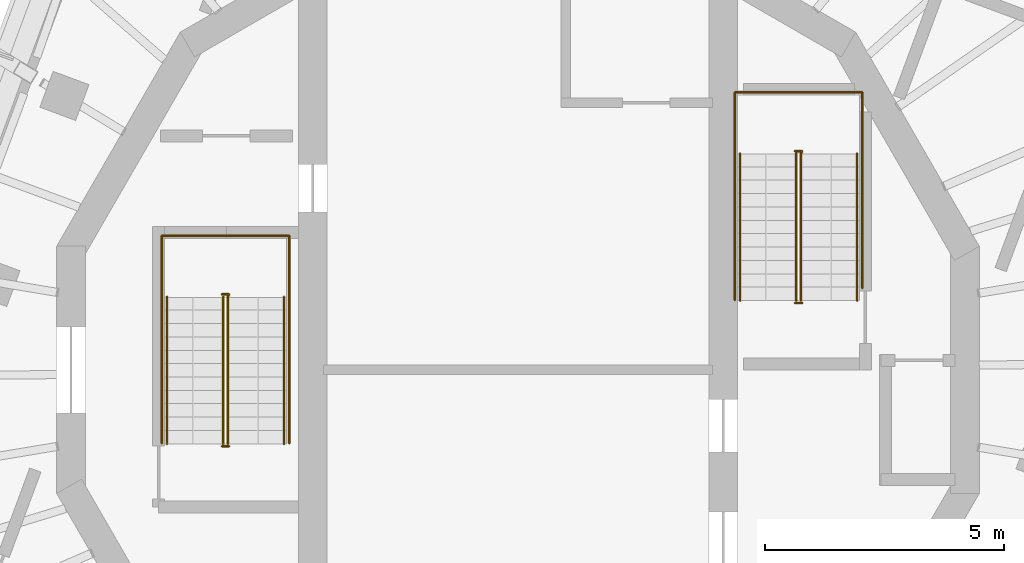
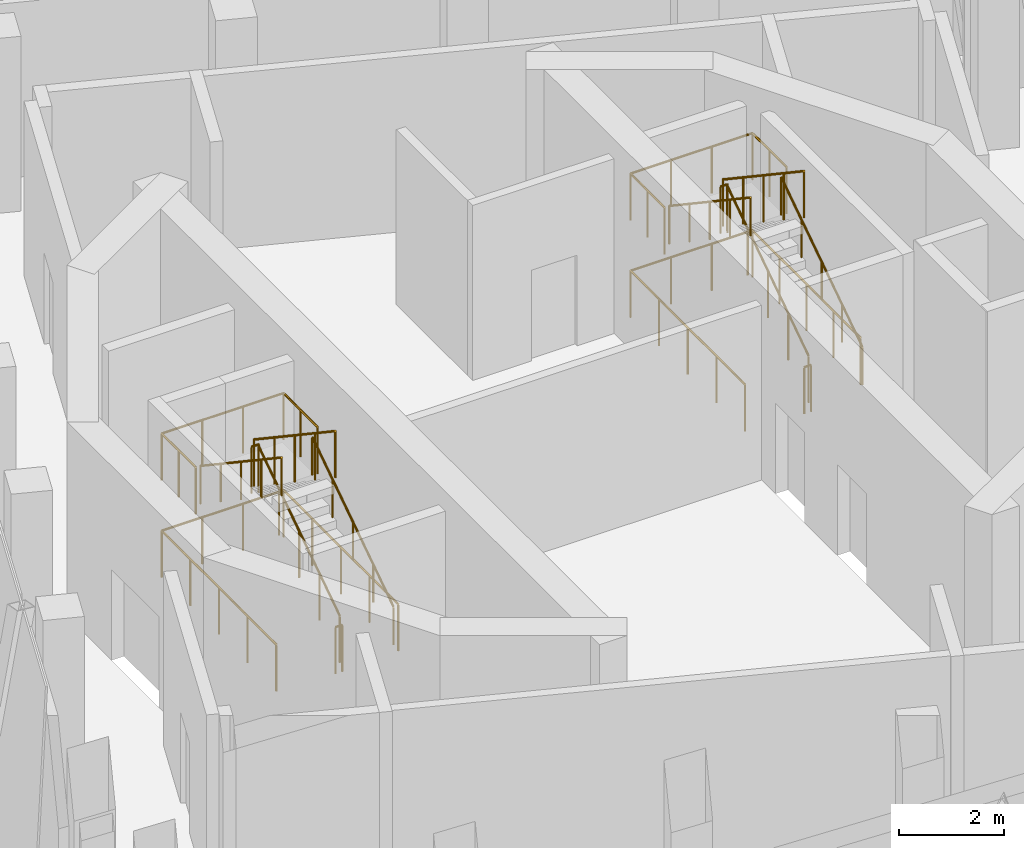
# One storey, part 12 of 12: 14 railings.
"""IFC4 building model written with IfcOpenShell, lengths in metres."""

from ifc_helpers import new_model, si_unit, direction, frame, origin, origin_2d, place, context, subcontext, project, spatial, circle, extrude, material, type_object, element, save


model = new_model("IFC4")

# Units and contexts
model_context = context("Model", 3, precision=1e-05, world=origin(), true_north=direction((0.0, 1.0)))
body_context = subcontext(model_context, "Body", "Model", "MODEL_VIEW")
ifc_project = project(units=[si_unit("LENGTHUNIT", "METRE"), si_unit("AREAUNIT", "SQUARE_METRE"), si_unit("VOLUMEUNIT", "CUBIC_METRE"), si_unit("PLANEANGLEUNIT", "RADIAN"), si_unit("MASSUNIT", "GRAM", prefix="KILO")], contexts=[model_context])

# Site, building, storey
site_placement = place(None, origin())
site = spatial("IfcSite", under=ifc_project, at=site_placement, CompositionType="ELEMENT")
building_placement = place(site_placement, origin())
building = spatial("IfcBuilding", under=site, at=building_placement, Name="Cantera Rosa Tower", CompositionType="ELEMENT")
storey_placement = place(building_placement, frame((0.0, 0.0, 360.699951171875)))
storey = spatial("IfcBuildingStorey", under=building, at=storey_placement, Name="L81", CompositionType="ELEMENT", Elevation=360.699951171875)

# Railings
ifc_material_1 = material(Name="Steel S355J2 (EN 10025-2)", Category="steel")
railing_type_1 = type_object("IfcRailingType", Name="STAIR GUARD 1100", PredefinedType="GUARDRAIL", material=ifc_material_1)
railing_1_placement = place(storey_placement, frame((-6.075927734375, -1.550048828125, 0.1875)))
element("IfcRailing", 1, at=railing_1_placement, inside=storey, type_object=railing_type_1, Name="L81 ST-71 stair guard 1", PredefinedType="GUARDRAIL", context=body_context, shape_type="SweptSolid", body=[
    extrude(circle(Radius=0.02392578125, at=origin_2d()), frame((0.0, 0.0, 1.076171875), z_axis=(0.0, 0.830913701846, 0.55640131208), x_axis=(-1.0, 0.0, 0.0)), (0.0, 0.0, 1.0), 3.706787109375),
    extrude(circle(Radius=0.02392578125, at=origin_2d()), frame((0.0, 3.080078125, 3.138671875), z_axis=(0.459305035911, 0.888278607187, 0.0), x_axis=(-0.888278607187, 0.459305035911, 0.0)), (0.0, 0.0, 1.0), 0.056396484375),
    extrude(circle(Radius=0.02392578125, at=origin_2d()), frame((0.02587890625, 3.130126953125, 3.138671875), z_axis=(-1.0, 0.0, 0.0), x_axis=(0.0, -1.0, 0.0)), (0.0, 0.0, 1.0), 0.14990234375),
    extrude(circle(Radius=0.02099609375, at=origin_2d()), origin(), (0.0, 0.0, 1.0), 1.052001953125),
    extrude(circle(Radius=0.02099609375, at=origin_2d()), frame((0.0, 0.77001953125, 0.515625)), (0.0, 0.0, 1.0), 1.052001953125),
    extrude(circle(Radius=0.02099609375, at=origin_2d()), frame((0.0, 1.5400390625, 1.03125)), (0.0, 0.0, 1.0), 1.052001953125),
    extrude(circle(Radius=0.02099609375, at=origin_2d()), frame((0.0, 2.31005859375, 1.546875)), (0.0, 0.0, 1.0), 1.052001953125),
    extrude(circle(Radius=0.02099609375, at=origin_2d()), frame((0.0, 3.080078125, 2.0625)), (0.0, 0.0, 1.0), 1.052001953125),
    extrude(circle(Radius=0.02099609375, at=origin_2d()), frame((0.02587890625, 3.130126953125, 2.0625)), (0.0, 0.0, 1.0), 1.052001953125),
    extrude(circle(Radius=0.02099609375, at=origin_2d()), frame((-0.1240234375, 3.130126953125, 2.0625)), (0.0, 0.0, 1.0), 1.052001953125),
])
railing_2_placement = place(storey_placement, frame((-6.174072265625, 1.530029296875, 2.4375)))
element("IfcRailing", 2, at=railing_2_placement, inside=storey, type_object=railing_type_1, Name="L81 ST-71 stair guard 2", PredefinedType="GUARDRAIL", context=body_context, shape_type="SweptSolid", body=[
    extrude(circle(Radius=0.02392578125, at=origin_2d()), frame((0.0, 0.0, 1.076171875), z_axis=(0.0, -0.830913701846, 0.55640131208), x_axis=(1.0, 0.0, 0.0)), (0.0, 0.0, 1.0), 3.706787109375),
    extrude(circle(Radius=0.02099609375, at=origin_2d()), origin(), (0.0, 0.0, 1.0), 1.052001953125),
    extrude(circle(Radius=0.02099609375, at=origin_2d()), frame((0.0, -0.77001953125, 0.515625)), (0.0, 0.0, 1.0), 1.052001953125),
    extrude(circle(Radius=0.02099609375, at=origin_2d()), frame((0.0, -1.5400390625, 1.03125)), (0.0, 0.0, 1.0), 1.052001953125),
    extrude(circle(Radius=0.02099609375, at=origin_2d()), frame((0.0, -2.31005859375, 1.546875)), (0.0, 0.0, 1.0), 1.052001953125),
    extrude(circle(Radius=0.02099609375, at=origin_2d()), frame((0.0, -3.080078125, 2.0625)), (0.0, 0.0, 1.0), 1.052001953125),
])
railing_3_placement = place(storey_placement, frame((-6.050048828125, -1.60009765625, 0.0)))
element("IfcRailing", 3, at=railing_3_placement, inside=storey, type_object=railing_type_1, Name="L81 ST-71 stair guard 3", PredefinedType="GUARDRAIL", context=body_context, shape_type="SweptSolid", body=[
    extrude(circle(Radius=0.02392578125, at=origin_2d()), frame((0.0, 0.0, 1.076171875), z_axis=(-1.0, 0.0, 0.0), x_axis=(0.0, -1.0, 0.0)), (0.0, 0.0, 1.0), 0.14990234375),
    extrude(circle(Radius=0.02099609375, at=origin_2d()), origin(), (0.0, 0.0, 1.0), 1.052001953125),
    extrude(circle(Radius=0.02099609375, at=origin_2d()), frame((-0.14990234375, 0.0, 0.0)), (0.0, 0.0, 1.0), 1.052001953125),
])
railing_4_placement = place(storey_placement, frame((-4.7900390625, -1.5380859375, 0.0)))
element("IfcRailing", 4, at=railing_4_placement, inside=storey, type_object=railing_type_1, Name="L81 ST-71 stair guard 4", PredefinedType="GUARDRAIL", context=body_context, shape_type="SweptSolid", body=[
    extrude(circle(Radius=0.02392578125, at=origin_2d()), frame((0.0, 0.0, 1.076171875), z_axis=(0.0, 1.0, 0.0), x_axis=(-1.0, 0.0, 0.0)), (0.0, 0.0, 1.0), 4.34814453125),
    extrude(circle(Radius=0.02392578125, at=origin_2d()), frame((0.0, 4.34814453125, 1.076171875), z_axis=(-1.0, 0.0, 0.0), x_axis=(0.0, -1.0, 0.0)), (0.0, 0.0, 1.0), 2.669921875),
    extrude(circle(Radius=0.02392578125, at=origin_2d()), frame((-2.669921875, 4.34814453125, 1.076171875), z_axis=(0.0, -1.0, 0.0), x_axis=(1.0, 0.0, 0.0)), (0.0, 0.0, 1.0), 4.34814453125),
    extrude(circle(Radius=0.02099609375, at=origin_2d()), origin(), (0.0, 0.0, 1.0), 1.052001953125),
    extrude(circle(Radius=0.02099609375, at=origin_2d()), frame((0.0, 1.0869140625, 0.0)), (0.0, 0.0, 1.0), 1.052001953125),
    extrude(circle(Radius=0.02099609375, at=origin_2d()), frame((0.0, 2.174072265625, 0.0)), (0.0, 0.0, 1.0), 1.052001953125),
    extrude(circle(Radius=0.02099609375, at=origin_2d()), frame((0.0, 3.26123046875, 0.0)), (0.0, 0.0, 1.0), 1.052001953125),
    extrude(circle(Radius=0.02099609375, at=origin_2d()), frame((0.0, 4.34814453125, 0.0)), (0.0, 0.0, 1.0), 1.052001953125),
    extrude(circle(Radius=0.02099609375, at=origin_2d()), frame((-0.889892578125, 4.34814453125, 0.0)), (0.0, 0.0, 1.0), 1.052001953125),
    extrude(circle(Radius=0.02099609375, at=origin_2d()), frame((-1.780029296875, 4.34814453125, 0.0)), (0.0, 0.0, 1.0), 1.052001953125),
    extrude(circle(Radius=0.02099609375, at=origin_2d()), frame((-2.669921875, 4.34814453125, 0.0)), (0.0, 0.0, 1.0), 1.052001953125),
    extrude(circle(Radius=0.02099609375, at=origin_2d()), frame((-2.669921875, 3.26123046875, 0.0)), (0.0, 0.0, 1.0), 1.052001953125),
    extrude(circle(Radius=0.02099609375, at=origin_2d()), frame((-2.669921875, 2.174072265625, 0.0)), (0.0, 0.0, 1.0), 1.052001953125),
    extrude(circle(Radius=0.02099609375, at=origin_2d()), frame((-2.669921875, 1.0869140625, 0.0)), (0.0, 0.0, 1.0), 1.052001953125),
    extrude(circle(Radius=0.02099609375, at=origin_2d()), frame((-2.669921875, 0.0, 0.0)), (0.0, 0.0, 1.0), 1.052001953125),
])
railing_5_placement = place(storey_placement, frame((-4.7900390625, 1.51806640625, 2.25)))
element("IfcRailing", 5, at=railing_5_placement, inside=storey, type_object=railing_type_1, Name="L81 ST-71 stair guard 5", PredefinedType="GUARDRAIL", context=body_context, shape_type="SweptSolid", body=[
    extrude(circle(Radius=0.02392578125, at=origin_2d()), frame((0.0, 0.0, 1.076171875), z_axis=(0.0, 1.0, 0.0), x_axis=(-1.0, 0.0, 0.0)), (0.0, 0.0, 1.0), 1.2919921875),
    extrude(circle(Radius=0.02392578125, at=origin_2d()), frame((0.0, 1.2919921875, 1.076171875), z_axis=(-1.0, 0.0, 0.0), x_axis=(0.0, -1.0, 0.0)), (0.0, 0.0, 1.0), 2.669921875),
    extrude(circle(Radius=0.02392578125, at=origin_2d()), frame((-2.669921875, 1.2919921875, 1.076171875), z_axis=(0.0, -1.0, 0.0), x_axis=(1.0, 0.0, 0.0)), (0.0, 0.0, 1.0), 1.2919921875),
    extrude(circle(Radius=0.02099609375, at=origin_2d()), origin(), (0.0, 0.0, 1.0), 1.052001953125),
    extrude(circle(Radius=0.02099609375, at=origin_2d()), frame((0.0, 0.64599609375, 0.0)), (0.0, 0.0, 1.0), 1.052001953125),
    extrude(circle(Radius=0.02099609375, at=origin_2d()), frame((0.0, 1.2919921875, 0.0)), (0.0, 0.0, 1.0), 1.052001953125),
    extrude(circle(Radius=0.02099609375, at=origin_2d()), frame((-0.889892578125, 1.2919921875, 0.0)), (0.0, 0.0, 1.0), 1.052001953125),
    extrude(circle(Radius=0.02099609375, at=origin_2d()), frame((-1.780029296875, 1.2919921875, 0.0)), (0.0, 0.0, 1.0), 1.052001953125),
    extrude(circle(Radius=0.02099609375, at=origin_2d()), frame((-2.669921875, 1.2919921875, 0.0)), (0.0, 0.0, 1.0), 1.052001953125),
    extrude(circle(Radius=0.02099609375, at=origin_2d()), frame((-2.669921875, 0.64599609375, 0.0)), (0.0, 0.0, 1.0), 1.052001953125),
    extrude(circle(Radius=0.02099609375, at=origin_2d()), frame((-2.669921875, 0.0, 0.0)), (0.0, 0.0, 1.0), 1.052001953125),
])
railing_6_placement = place(storey_placement, frame((5.924072265625, 1.449951171875, 0.1875)))
element("IfcRailing", 6, at=railing_6_placement, inside=storey, type_object=railing_type_1, Name="L81 ST-72 stair guard 1", PredefinedType="GUARDRAIL", context=body_context, shape_type="SweptSolid", body=[
    extrude(circle(Radius=0.02392578125, at=origin_2d()), frame((0.0, 0.0, 1.076171875), z_axis=(0.0, 0.830913701846, 0.55640131208), x_axis=(-1.0, 0.0, 0.0)), (0.0, 0.0, 1.0), 3.706787109375),
    extrude(circle(Radius=0.02392578125, at=origin_2d()), frame((0.0, 3.080078125, 3.138671875), z_axis=(0.459305035911, 0.888278607187, 0.0), x_axis=(-0.888278607187, 0.459305035911, 0.0)), (0.0, 0.0, 1.0), 0.056396484375),
    extrude(circle(Radius=0.02392578125, at=origin_2d()), frame((0.02587890625, 3.130126953125, 3.138671875), z_axis=(-1.0, 0.0, 0.0), x_axis=(0.0, -1.0, 0.0)), (0.0, 0.0, 1.0), 0.14990234375),
    extrude(circle(Radius=0.02099609375, at=origin_2d()), origin(), (0.0, 0.0, 1.0), 1.052001953125),
    extrude(circle(Radius=0.02099609375, at=origin_2d()), frame((0.0, 0.77001953125, 0.515625)), (0.0, 0.0, 1.0), 1.052001953125),
    extrude(circle(Radius=0.02099609375, at=origin_2d()), frame((0.0, 1.5400390625, 1.03125)), (0.0, 0.0, 1.0), 1.052001953125),
    extrude(circle(Radius=0.02099609375, at=origin_2d()), frame((0.0, 2.31005859375, 1.546875)), (0.0, 0.0, 1.0), 1.052001953125),
    extrude(circle(Radius=0.02099609375, at=origin_2d()), frame((0.0, 3.080078125, 2.0625)), (0.0, 0.0, 1.0), 1.052001953125),
    extrude(circle(Radius=0.02099609375, at=origin_2d()), frame((0.02587890625, 3.130126953125, 2.0625)), (0.0, 0.0, 1.0), 1.052001953125),
    extrude(circle(Radius=0.02099609375, at=origin_2d()), frame((-0.1240234375, 3.130126953125, 2.0625)), (0.0, 0.0, 1.0), 1.052001953125),
])
railing_7_placement = place(storey_placement, frame((5.825927734375, 4.530029296875, 2.4375)))
element("IfcRailing", 7, at=railing_7_placement, inside=storey, type_object=railing_type_1, Name="L81 ST-72 stair guard 2", PredefinedType="GUARDRAIL", context=body_context, shape_type="SweptSolid", body=[
    extrude(circle(Radius=0.02392578125, at=origin_2d()), frame((0.0, 0.0, 1.076171875), z_axis=(0.0, -0.830913701846, 0.55640131208), x_axis=(1.0, 0.0, 0.0)), (0.0, 0.0, 1.0), 3.706787109375),
    extrude(circle(Radius=0.02099609375, at=origin_2d()), origin(), (0.0, 0.0, 1.0), 1.052001953125),
    extrude(circle(Radius=0.02099609375, at=origin_2d()), frame((0.0, -0.77001953125, 0.515625)), (0.0, 0.0, 1.0), 1.052001953125),
    extrude(circle(Radius=0.02099609375, at=origin_2d()), frame((0.0, -1.5400390625, 1.03125)), (0.0, 0.0, 1.0), 1.052001953125),
    extrude(circle(Radius=0.02099609375, at=origin_2d()), frame((0.0, -2.31005859375, 1.546875)), (0.0, 0.0, 1.0), 1.052001953125),
    extrude(circle(Radius=0.02099609375, at=origin_2d()), frame((0.0, -3.080078125, 2.0625)), (0.0, 0.0, 1.0), 1.052001953125),
])
railing_8_placement = place(storey_placement, frame((5.949951171875, 1.39990234375, 0.0)))
element("IfcRailing", 8, at=railing_8_placement, inside=storey, type_object=railing_type_1, Name="L81 ST-72 stair guard 3", PredefinedType="GUARDRAIL", context=body_context, shape_type="SweptSolid", body=[
    extrude(circle(Radius=0.02392578125, at=origin_2d()), frame((0.0, 0.0, 1.076171875), z_axis=(-1.0, 0.0, 0.0), x_axis=(0.0, -1.0, 0.0)), (0.0, 0.0, 1.0), 0.14990234375),
    extrude(circle(Radius=0.02099609375, at=origin_2d()), origin(), (0.0, 0.0, 1.0), 1.052001953125),
    extrude(circle(Radius=0.02099609375, at=origin_2d()), frame((-0.14990234375, 0.0, 0.0)), (0.0, 0.0, 1.0), 1.052001953125),
])
railing_9_placement = place(storey_placement, frame((7.2099609375, 1.7099609375, 0.0)))
element("IfcRailing", 9, at=railing_9_placement, inside=storey, type_object=railing_type_1, Name="L81 ST-72 stair guard 4", PredefinedType="GUARDRAIL", context=body_context, shape_type="SweptSolid", body=[
    extrude(circle(Radius=0.02392578125, at=origin_2d()), frame((0.0, 0.0, 1.076171875), z_axis=(0.0, 1.0, 0.0), x_axis=(-1.0, 0.0, 0.0)), (0.0, 0.0, 1.0), 4.10009765625),
    extrude(circle(Radius=0.02392578125, at=origin_2d()), frame((0.0, 4.10009765625, 1.076171875), z_axis=(-1.0, 0.0, 0.0), x_axis=(0.0, -1.0, 0.0)), (0.0, 0.0, 1.0), 2.669921875),
    extrude(circle(Radius=0.02392578125, at=origin_2d()), frame((-2.669921875, 4.10009765625, 1.076171875), z_axis=(0.0, -1.0, 0.0), x_axis=(1.0, 0.0, 0.0)), (0.0, 0.0, 1.0), 4.34814453125),
    extrude(circle(Radius=0.02099609375, at=origin_2d()), origin(), (0.0, 0.0, 1.0), 1.052001953125),
    extrude(circle(Radius=0.02099609375, at=origin_2d()), frame((0.0, 1.02490234375, 0.0)), (0.0, 0.0, 1.0), 1.052001953125),
    extrude(circle(Radius=0.02099609375, at=origin_2d()), frame((0.0, 2.050048828125, 0.0)), (0.0, 0.0, 1.0), 1.052001953125),
    extrude(circle(Radius=0.02099609375, at=origin_2d()), frame((0.0, 3.0751953125, 0.0)), (0.0, 0.0, 1.0), 1.052001953125),
    extrude(circle(Radius=0.02099609375, at=origin_2d()), frame((0.0, 4.10009765625, 0.0)), (0.0, 0.0, 1.0), 1.052001953125),
    extrude(circle(Radius=0.02099609375, at=origin_2d()), frame((-0.889892578125, 4.10009765625, 0.0)), (0.0, 0.0, 1.0), 1.052001953125),
    extrude(circle(Radius=0.02099609375, at=origin_2d()), frame((-1.780029296875, 4.10009765625, 0.0)), (0.0, 0.0, 1.0), 1.052001953125),
    extrude(circle(Radius=0.02099609375, at=origin_2d()), frame((-2.669921875, 4.10009765625, 0.0)), (0.0, 0.0, 1.0), 1.052001953125),
    extrude(circle(Radius=0.02099609375, at=origin_2d()), frame((-2.669921875, 3.01318359375, 0.0)), (0.0, 0.0, 1.0), 1.052001953125),
    extrude(circle(Radius=0.02099609375, at=origin_2d()), frame((-2.669921875, 1.926025390625, 0.0)), (0.0, 0.0, 1.0), 1.052001953125),
    extrude(circle(Radius=0.02099609375, at=origin_2d()), frame((-2.669921875, 0.8388671875, 0.0)), (0.0, 0.0, 1.0), 1.052001953125),
    extrude(circle(Radius=0.02099609375, at=origin_2d()), frame((-2.669921875, -0.248046875, 0.0)), (0.0, 0.0, 1.0), 1.052001953125),
])
railing_10_placement = place(storey_placement, frame((7.2099609375, 4.51806640625, 2.25)))
element("IfcRailing", 10, at=railing_10_placement, inside=storey, type_object=railing_type_1, Name="L81 ST-72 stair guard 5", PredefinedType="GUARDRAIL", context=body_context, shape_type="SweptSolid", body=[
    extrude(circle(Radius=0.02392578125, at=origin_2d()), frame((0.0, 0.0, 1.076171875), z_axis=(0.0, 1.0, 0.0), x_axis=(-1.0, 0.0, 0.0)), (0.0, 0.0, 1.0), 1.2919921875),
    extrude(circle(Radius=0.02392578125, at=origin_2d()), frame((0.0, 1.2919921875, 1.076171875), z_axis=(-1.0, 0.0, 0.0), x_axis=(0.0, -1.0, 0.0)), (0.0, 0.0, 1.0), 2.669921875),
    extrude(circle(Radius=0.02392578125, at=origin_2d()), frame((-2.669921875, 1.2919921875, 1.076171875), z_axis=(0.0, -1.0, 0.0), x_axis=(1.0, 0.0, 0.0)), (0.0, 0.0, 1.0), 1.2919921875),
    extrude(circle(Radius=0.02099609375, at=origin_2d()), origin(), (0.0, 0.0, 1.0), 1.052001953125),
    extrude(circle(Radius=0.02099609375, at=origin_2d()), frame((0.0, 0.64599609375, 0.0)), (0.0, 0.0, 1.0), 1.052001953125),
    extrude(circle(Radius=0.02099609375, at=origin_2d()), frame((0.0, 1.2919921875, 0.0)), (0.0, 0.0, 1.0), 1.052001953125),
    extrude(circle(Radius=0.02099609375, at=origin_2d()), frame((-0.889892578125, 1.2919921875, 0.0)), (0.0, 0.0, 1.0), 1.052001953125),
    extrude(circle(Radius=0.02099609375, at=origin_2d()), frame((-1.780029296875, 1.2919921875, 0.0)), (0.0, 0.0, 1.0), 1.052001953125),
    extrude(circle(Radius=0.02099609375, at=origin_2d()), frame((-2.669921875, 1.2919921875, 0.0)), (0.0, 0.0, 1.0), 1.052001953125),
    extrude(circle(Radius=0.02099609375, at=origin_2d()), frame((-2.669921875, 0.64599609375, 0.0)), (0.0, 0.0, 1.0), 1.052001953125),
    extrude(circle(Radius=0.02099609375, at=origin_2d()), frame((-2.669921875, 0.0, 0.0)), (0.0, 0.0, 1.0), 1.052001953125),
])
ifc_material_2 = material(Name="Steel S355J2 (EN 10025-2)", Category="steel")
railing_type_2 = type_object("IfcRailingType", Name="STAIR HANDRAIL 900", PredefinedType="HANDRAIL", material=ifc_material_2)
railing_11_placement = place(storey_placement, frame((-4.89990234375, -1.550048828125, 0.1875)))
element("IfcRailing", 11, at=railing_11_placement, inside=storey, type_object=railing_type_2, Name="L81 ST-71 stair handrail 1", PredefinedType="HANDRAIL", context=body_context, shape_type="SweptSolid", body=[
    extrude(circle(Radius=0.02392578125, at=origin_2d()), frame((0.0, 0.0, 0.8759765625), z_axis=(0.0, 0.830913701846, 0.55640131208), x_axis=(-1.0, 0.0, 0.0)), (0.0, 0.0, 1.0), 3.706787109375),
    extrude(circle(Radius=0.02099609375, at=origin_2d()), origin(), (0.0, 0.0, 1.0), 0.851806640625),
    extrude(circle(Radius=0.02099609375, at=origin_2d()), frame((0.0, 0.77001953125, 0.515625)), (0.0, 0.0, 1.0), 0.851806640625),
    extrude(circle(Radius=0.02099609375, at=origin_2d()), frame((0.0, 1.5400390625, 1.03125)), (0.0, 0.0, 1.0), 0.851806640625),
    extrude(circle(Radius=0.02099609375, at=origin_2d()), frame((0.0, 2.31005859375, 1.546875)), (0.0, 0.0, 1.0), 0.851806640625),
    extrude(circle(Radius=0.02099609375, at=origin_2d()), frame((0.0, 3.080078125, 2.0625)), (0.0, 0.0, 1.0), 0.851806640625),
])
railing_12_placement = place(storey_placement, frame((-7.35009765625, 1.530029296875, 2.4375)))
element("IfcRailing", 12, at=railing_12_placement, inside=storey, type_object=railing_type_2, Name="L81 ST-71 stair handrail 2", PredefinedType="HANDRAIL", context=body_context, shape_type="SweptSolid", body=[
    extrude(circle(Radius=0.02392578125, at=origin_2d()), frame((0.0, 0.0, 0.8759765625), z_axis=(0.0, -0.830913701846, 0.55640131208), x_axis=(1.0, 0.0, 0.0)), (0.0, 0.0, 1.0), 3.706787109375),
    extrude(circle(Radius=0.02099609375, at=origin_2d()), origin(), (0.0, 0.0, 1.0), 0.851806640625),
    extrude(circle(Radius=0.02099609375, at=origin_2d()), frame((0.0, -0.77001953125, 0.515625)), (0.0, 0.0, 1.0), 0.851806640625),
    extrude(circle(Radius=0.02099609375, at=origin_2d()), frame((0.0, -1.5400390625, 1.03125)), (0.0, 0.0, 1.0), 0.851806640625),
    extrude(circle(Radius=0.02099609375, at=origin_2d()), frame((0.0, -2.31005859375, 1.546875)), (0.0, 0.0, 1.0), 0.851806640625),
    extrude(circle(Radius=0.02099609375, at=origin_2d()), frame((0.0, -3.080078125, 2.0625)), (0.0, 0.0, 1.0), 0.851806640625),
])
railing_13_placement = place(storey_placement, frame((7.10009765625, 1.449951171875, 0.1875)))
element("IfcRailing", 13, at=railing_13_placement, inside=storey, type_object=railing_type_2, Name="L81 ST-72 stair handrail 1", PredefinedType="HANDRAIL", context=body_context, shape_type="SweptSolid", body=[
    extrude(circle(Radius=0.02392578125, at=origin_2d()), frame((0.0, 0.0, 0.8759765625), z_axis=(0.0, 0.830913701846, 0.55640131208), x_axis=(-1.0, 0.0, 0.0)), (0.0, 0.0, 1.0), 3.706787109375),
    extrude(circle(Radius=0.02099609375, at=origin_2d()), origin(), (0.0, 0.0, 1.0), 0.851806640625),
    extrude(circle(Radius=0.02099609375, at=origin_2d()), frame((0.0, 0.77001953125, 0.515625)), (0.0, 0.0, 1.0), 0.851806640625),
    extrude(circle(Radius=0.02099609375, at=origin_2d()), frame((0.0, 1.5400390625, 1.03125)), (0.0, 0.0, 1.0), 0.851806640625),
    extrude(circle(Radius=0.02099609375, at=origin_2d()), frame((0.0, 2.31005859375, 1.546875)), (0.0, 0.0, 1.0), 0.851806640625),
    extrude(circle(Radius=0.02099609375, at=origin_2d()), frame((0.0, 3.080078125, 2.0625)), (0.0, 0.0, 1.0), 0.851806640625),
])
railing_14_placement = place(storey_placement, frame((4.64990234375, 4.530029296875, 2.4375)))
element("IfcRailing", 14, at=railing_14_placement, inside=storey, type_object=railing_type_2, Name="L81 ST-72 stair handrail 2", PredefinedType="HANDRAIL", context=body_context, shape_type="SweptSolid", body=[
    extrude(circle(Radius=0.02392578125, at=origin_2d()), frame((0.0, 0.0, 0.8759765625), z_axis=(0.0, -0.830913701846, 0.55640131208), x_axis=(1.0, 0.0, 0.0)), (0.0, 0.0, 1.0), 3.706787109375),
    extrude(circle(Radius=0.02099609375, at=origin_2d()), origin(), (0.0, 0.0, 1.0), 0.851806640625),
    extrude(circle(Radius=0.02099609375, at=origin_2d()), frame((0.0, -0.77001953125, 0.515625)), (0.0, 0.0, 1.0), 0.851806640625),
    extrude(circle(Radius=0.02099609375, at=origin_2d()), frame((0.0, -1.5400390625, 1.03125)), (0.0, 0.0, 1.0), 0.851806640625),
    extrude(circle(Radius=0.02099609375, at=origin_2d()), frame((0.0, -2.31005859375, 1.546875)), (0.0, 0.0, 1.0), 0.851806640625),
    extrude(circle(Radius=0.02099609375, at=origin_2d()), frame((0.0, -3.080078125, 2.0625)), (0.0, 0.0, 1.0), 0.851806640625),
])

save(model, "model.ifc")
